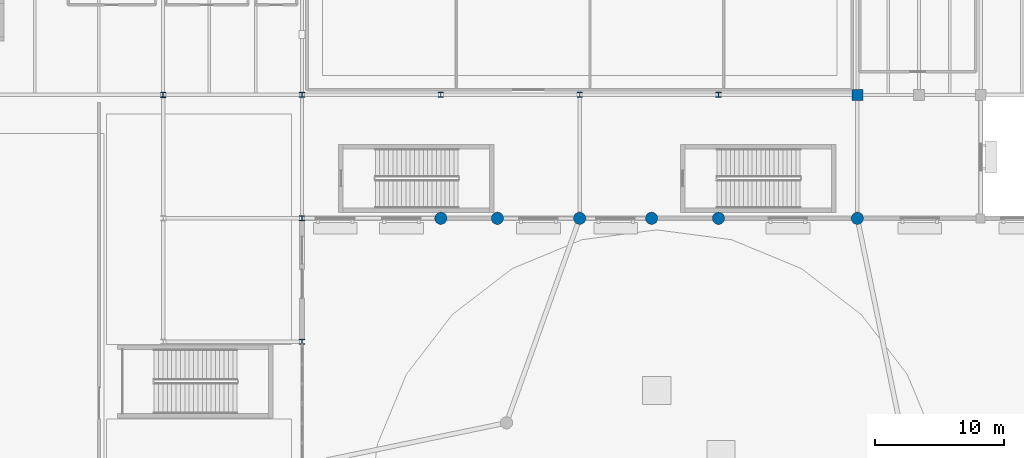
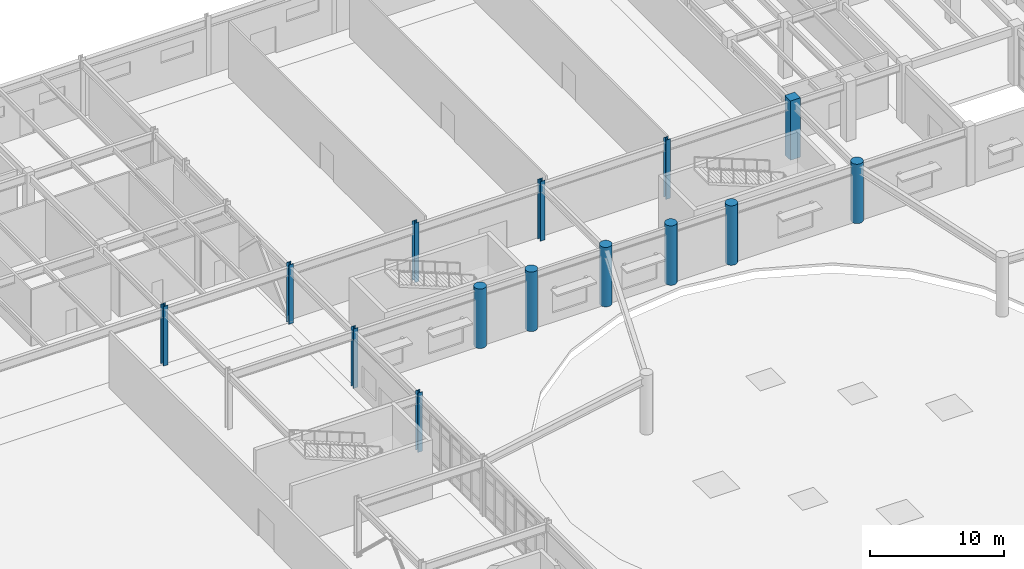
# One storey, part 7 of 54: 14 columns.
"""IFC4 building model written with IfcOpenShell, lengths in metres."""

from ifc_helpers import new_model, si_unit, direction, frame, origin, origin_2d, place, context, subcontext, project, spatial, rectangle, circle, i_section, extrude, material, material_profile, profile_set, type_object, element, save


model = new_model("IFC4")

# Units and contexts
model_context = context("Model", 3, precision=1e-05, world=origin(), true_north=direction((0.0, 1.0)))
body_context = subcontext(model_context, "Body", "Model", "MODEL_VIEW")
ifc_project = project(units=[si_unit("LENGTHUNIT", "METRE"), si_unit("AREAUNIT", "SQUARE_METRE"), si_unit("VOLUMEUNIT", "CUBIC_METRE"), si_unit("PLANEANGLEUNIT", "RADIAN"), si_unit("MASSUNIT", "GRAM", prefix="KILO")], contexts=[model_context])

# Site, building, storey
site_placement = place(None, origin())
site = spatial("IfcSite", under=ifc_project, at=site_placement, CompositionType="ELEMENT")
building_placement = place(site_placement, origin())
building = spatial("IfcBuilding", under=site, at=building_placement, Name="Veldera Park Congress Hotel", CompositionType="ELEMENT")
storey_placement = place(building_placement, origin())
storey = spatial("IfcBuildingStorey", under=building, at=storey_placement, Name="L00", CompositionType="ELEMENT", Elevation=0.0)

# Columns
ifc_material_1 = material(Name="Concrete f'c 50 MPa (7,250 psi)", Category="concrete")
ifc_material_profile_1 = material_profile(ifc_material_1, rectangle(XDim=0.85009765625, YDim=0.85009765625, at=origin_2d()), Name="RC 850x850")
ifc_profile_set_1 = profile_set([ifc_material_profile_1], Name="Concrete f'c 50 MPa (7,250 psi)")
column_type_1 = type_object("IfcColumnType", Name="COL-RC80E", PredefinedType="COLUMN", material=ifc_profile_set_1)
column_1_placement = place(storey_placement, frame((41.60009765625, 27.0, 0.0), z_axis=(0.0, 0.0, 1.0), x_axis=(1.0, 0.0, 0.0)))
element("IfcColumn", 1, at=column_1_placement, inside=storey, type_object=column_type_1, Name="L00 Column COL-RC80E (41.6,27.0)", PredefinedType="COLUMN", context=body_context, shape_type="SweptSolid", body=[
    extrude(rectangle(XDim=0.85009765625, YDim=0.85009765625, at=origin_2d()), origin(), (0.0, 0.0, 1.0), 5.39990234375),
])
ifc_material_profile_2 = material_profile(ifc_material_1, circle(Radius=0.47509765625, at=origin_2d()), Name="RC D950")
ifc_profile_set_2 = profile_set([ifc_material_profile_2], Name="Concrete f'c 50 MPa (7,250 psi)")
column_type_2 = type_object("IfcColumnType", Name="COL-RCD90E", PredefinedType="COLUMN", material=ifc_profile_set_2)
for number, where, z_axis, x_axis, name in (
    (2, (9.199951171875, 17.39990234375, 0.0), (0.0, 0.0, 1.0), (1.0, 0.0, 0.0), "L00 Column COL-RCD90E (9.2,17.4)"),
    (3, (13.60009765625, 17.39990234375, 0.0), (0.0, 0.0, 1.0), (1.0, 0.0, 0.0), "L00 Column COL-RCD90E (13.6,17.4)"),
    (4, (20.0, 17.39990234375, 0.0), (0.0, 0.0, 1.0), (1.0, 0.0, 0.0), "L00 Column COL-RCD90E (20.0,17.4)"),
    (5, (25.60009765625, 17.39990234375, 0.0), (0.0, 0.0, 1.0), (1.0, 0.0, 0.0), "L00 Column COL-RCD90E (25.6,17.4)"),
    (6, (30.800048828125, 17.39990234375, 0.0), (0.0, 0.0, 1.0), (1.0, 0.0, 0.0), "L00 Column COL-RCD90E (30.8,17.4)"),
    (7, (41.60009765625, 17.39990234375, 0.0), (0.0, 0.0, 1.0), (1.0, 0.0, 0.0), "L00 Column COL-RCD90E (41.6,17.4)"),
):
    element("IfcColumn", number, at=place(storey_placement, frame(where, z_axis=z_axis, x_axis=x_axis)), inside=storey, type_object=column_type_2, Name=name, PredefinedType="COLUMN", context=body_context, shape_type="SweptSolid", body=[
        extrude(circle(Radius=0.47509765625, at=origin_2d()), origin(), (0.0, 0.0, 1.0), 5.39990234375),
    ])
ifc_material_2 = material(Name="Steel ASTM A992 Gr.50", Category="steel")
ifc_material_profile_3 = material_profile(ifc_material_2, i_section(OverallWidth=0.39599609375, OverallDepth=0.381103515625, WebThickness=0.018798828125, FlangeThickness=0.0302734375, at=origin_2d()), Name="W14X159")
ifc_profile_set_3 = profile_set([ifc_material_profile_3], Name="Steel ASTM A992 Gr.50")
column_type_3 = type_object("IfcColumnType", Name="COL-STL159", PredefinedType="COLUMN", material=ifc_profile_set_3)
for number, where, z_axis, x_axis, name in (
    (8, (-1.60009765625, 7.800048828125, 0.0), (0.0, 0.0, 1.0), (1.0, 0.0, 0.0), "L00 Column COL-STL159 (-1.6,7.8)"),
    (9, (-1.60009765625, 17.39990234375, 0.0), (0.0, 0.0, 1.0), (1.0, 0.0, 0.0), "L00 Column COL-STL159 (-1.6,17.4)"),
):
    element("IfcColumn", number, at=place(storey_placement, frame(where, z_axis=z_axis, x_axis=x_axis)), inside=storey, type_object=column_type_3, Name=name, PredefinedType="COLUMN", context=body_context, shape_type="SweptSolid", body=[
        extrude(i_section(OverallWidth=0.39599609375, OverallDepth=0.381103515625, WebThickness=0.018798828125, FlangeThickness=0.0302734375, at=origin_2d()), origin(), (0.0, 0.0, 1.0), 5.39990234375),
    ])
ifc_material_profile_4 = material_profile(ifc_material_2, i_section(OverallWidth=0.39599609375, OverallDepth=0.381103515625, WebThickness=0.018798828125, FlangeThickness=0.0302734375, at=origin_2d()), Name="W14X159")
ifc_profile_set_4 = profile_set([ifc_material_profile_4], Name="Steel ASTM A992 Gr.50")
column_type_4 = type_object("IfcColumnType", Name="COL-STL159E", PredefinedType="COLUMN", material=ifc_profile_set_4)
column_2_placement = place(storey_placement, frame((-1.60009765625, 27.0, 0.0), z_axis=(0.0, 0.0, 1.0), x_axis=(1.0, 0.0, 0.0)))
element("IfcColumn", 10, at=column_2_placement, inside=storey, type_object=column_type_4, Name="L00 Column COL-STL159E (-1.6,27.0)", PredefinedType="COLUMN", context=body_context, shape_type="SweptSolid", body=[
    extrude(i_section(OverallWidth=0.39599609375, OverallDepth=0.381103515625, WebThickness=0.018798828125, FlangeThickness=0.0302734375, at=origin_2d()), origin(), (0.0, 0.0, 1.0), 5.39990234375),
])
ifc_material_profile_5 = material_profile(ifc_material_2, i_section(OverallWidth=0.39697265625, OverallDepth=0.386962890625, WebThickness=0.02099609375, FlangeThickness=0.033203125, at=origin_2d()), Name="W14X176")
ifc_profile_set_5 = profile_set([ifc_material_profile_5], Name="Steel ASTM A992 Gr.50")
column_type_5 = type_object("IfcColumnType", Name="COL-STL176", PredefinedType="COLUMN", material=ifc_profile_set_5)
for number, where, z_axis, x_axis, name in (
    (11, (9.199951171875, 27.0, 0.0), (0.0, 0.0, 1.0), (1.0, 0.0, 0.0), "L00 Column COL-STL176 (9.2,27.0)"),
    (12, (20.0, 27.0, 0.0), (0.0, 0.0, 1.0), (1.0, 0.0, 0.0), "L00 Column COL-STL176 (20.0,27.0)"),
    (13, (30.800048828125, 27.0, 0.0), (0.0, 0.0, 1.0), (1.0, 0.0, 0.0), "L00 Column COL-STL176 (30.8,27.0)"),
):
    element("IfcColumn", number, at=place(storey_placement, frame(where, z_axis=z_axis, x_axis=x_axis)), inside=storey, type_object=column_type_5, Name=name, PredefinedType="COLUMN", context=body_context, shape_type="SweptSolid", body=[
        extrude(i_section(OverallWidth=0.39697265625, OverallDepth=0.386962890625, WebThickness=0.02099609375, FlangeThickness=0.033203125, at=origin_2d()), origin(), (0.0, 0.0, 1.0), 5.39990234375),
    ])
ifc_material_profile_6 = material_profile(ifc_material_2, i_section(OverallWidth=0.406005859375, OverallDepth=0.416015625, WebThickness=0.02978515625, FlangeThickness=0.048095703125, at=origin_2d()), Name="W14X257")
ifc_profile_set_6 = profile_set([ifc_material_profile_6], Name="Steel ASTM A992 Gr.50")
column_type_6 = type_object("IfcColumnType", Name="COL-STL233E", PredefinedType="COLUMN", material=ifc_profile_set_6)
column_3_placement = place(storey_placement, frame((-12.39990234375, 27.0, 0.0), z_axis=(0.0, 0.0, 1.0), x_axis=(1.0, 0.0, 0.0)))
element("IfcColumn", 14, at=column_3_placement, inside=storey, type_object=column_type_6, Name="L00 Column COL-STL233E (-12.4,27.0)", PredefinedType="COLUMN", context=body_context, shape_type="SweptSolid", body=[
    extrude(i_section(OverallWidth=0.406005859375, OverallDepth=0.416015625, WebThickness=0.02978515625, FlangeThickness=0.048095703125, at=origin_2d()), origin(), (0.0, 0.0, 1.0), 5.39990234375),
])

save(model, "model.ifc")
